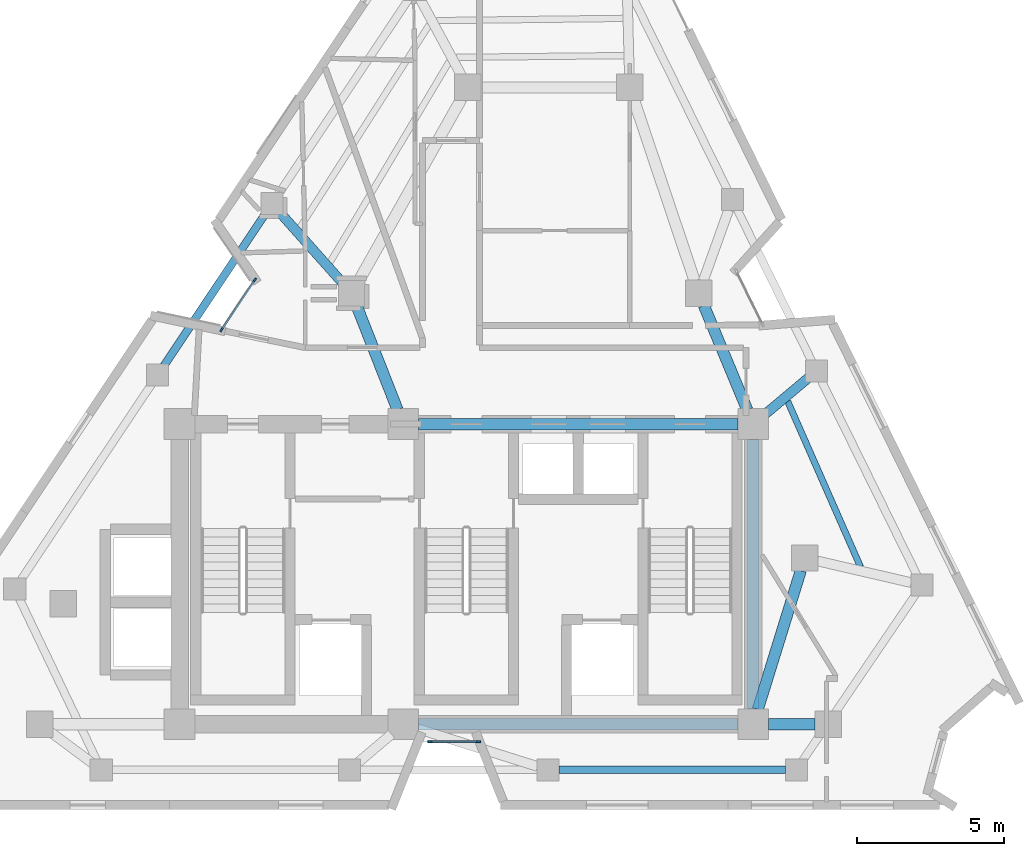
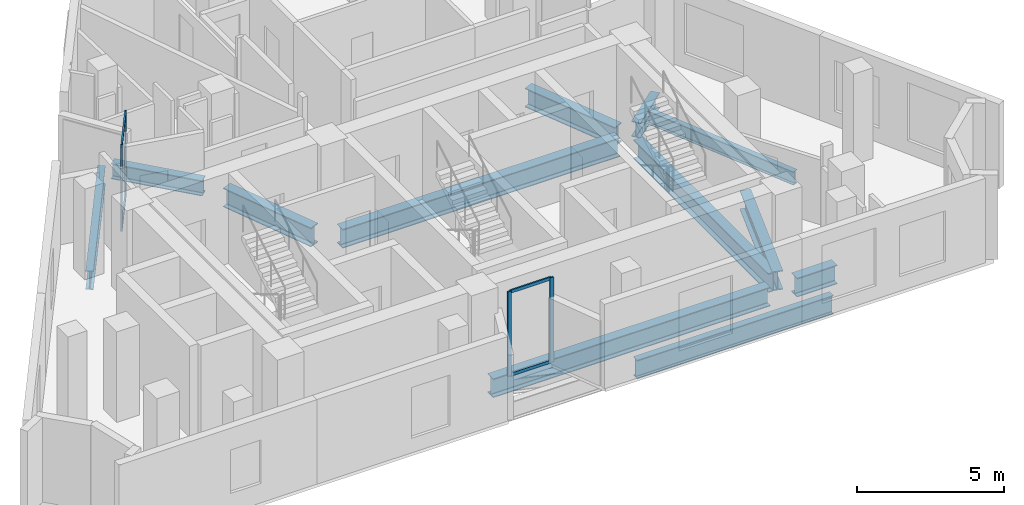
# One storey, part 2 of 10: 12 beams, 8 members, 2 elements without a shape of their own.
"""IFC4 building model written with IfcOpenShell, lengths in metres."""

from ifc_helpers import new_model, si_unit, direction, frame, origin, origin_2d, place, context, subcontext, project, spatial, rectangle, i_section, extrude, material, layer, layer_set, material_profile, profile_set, type_object, element, aggregate, save


model = new_model("IFC4")

# Units and contexts
model_context = context("Model", 3, precision=1e-05, world=origin(), true_north=direction((0.0, 1.0)))
body_context = subcontext(model_context, "Body", "Model", "MODEL_VIEW")
ifc_project = project(units=[si_unit("LENGTHUNIT", "METRE"), si_unit("AREAUNIT", "SQUARE_METRE"), si_unit("VOLUMEUNIT", "CUBIC_METRE"), si_unit("PLANEANGLEUNIT", "RADIAN"), si_unit("MASSUNIT", "GRAM", prefix="KILO")], contexts=[model_context])

# Site, building, storey
site_placement = place(None, origin())
site = spatial("IfcSite", under=ifc_project, at=site_placement, CompositionType="ELEMENT")
building_placement = place(site_placement, origin())
building = spatial("IfcBuilding", under=site, at=building_placement, Name="Almagre Mirador Tower", CompositionType="ELEMENT")
storey_placement = place(building_placement, frame((0.0, 0.0, 278.25)))
storey = spatial("IfcBuildingStorey", under=building, at=storey_placement, Name="L72", CompositionType="ELEMENT", Elevation=278.25)

# Beams
ifc_material_1 = material(Name="Steel ASTM A992 Grade 50", Category="steel")
ifc_material_profile_1 = material_profile(ifc_material_1, i_section(OverallWidth=0.214111328125, OverallDepth=0.549072265625, WebThickness=0.0146484375, FlangeThickness=0.023681640625, FilletRadius=0.01806640625, at=origin_2d()), Name="W21X93")
ifc_profile_set_1 = profile_set([ifc_material_profile_1], Name="Steel ASTM A992 Grade 50")
beam_type_1 = type_object("IfcBeamType", Name="BM-JST-W21X93", PredefinedType="JOIST", material=ifc_profile_set_1)
beam_1_placement = place(storey_placement, frame((50.698974609375, 9.896240234375, -0.5244140625), z_axis=(-0.402662796077, 0.915348388678, 0.0), x_axis=(-0.915348388678, -0.402662796077, 0.0)))
element("IfcBeam", 1, at=beam_1_placement, inside=storey, type_object=beam_type_1, Name="L72 secondary floor joist PC05-PC06.2", PredefinedType="JOIST", context=body_context, shape_type="SweptSolid", body=[
    extrude(i_section(OverallWidth=0.214111328125, OverallDepth=0.549072265625, WebThickness=0.0146484375, FlangeThickness=0.023681640625, FilletRadius=0.01806640625, at=origin_2d()), origin(), (0.0, 0.0, 1.0), 6.151123046875),
])
ifc_material_2 = material(Name="Steel ASTM A992 Grade 50", Category="steel")
ifc_material_profile_2 = material_profile(ifc_material_2, i_section(OverallWidth=0.26708984375, OverallDepth=0.779052734375, WebThickness=0.0166015625, FlangeThickness=0.030029296875, FilletRadius=0.02392578125, at=origin_2d()), Name="W30X148")
ifc_profile_set_2 = profile_set([ifc_material_profile_2], Name="Steel ASTM A992 Grade 50")
beam_type_2 = type_object("IfcBeamType", Name="BM-SPN-W30X148", PredefinedType="SPANDREL", material=ifc_profile_set_2)
beam_2_placement = place(storey_placement, frame((40.450927734375, 3.0, -0.639404296875), z_axis=(1.0, 0.0, 0.0), x_axis=(0.0, 1.0, 0.0)))
element("IfcBeam", 2, at=beam_2_placement, inside=storey, type_object=beam_type_2, Name="L72 perimeter spandrel beam PC03-PC04", PredefinedType="SPANDREL", context=body_context, shape_type="SweptSolid", body=[
    extrude(i_section(OverallWidth=0.26708984375, OverallDepth=0.779052734375, WebThickness=0.0166015625, FlangeThickness=0.030029296875, FilletRadius=0.02392578125, at=origin_2d()), origin(), (0.0, 0.0, 1.0), 7.690185546875),
])
beam_3_placement = place(storey_placement, frame((30.48388671875, 21.93408203125, -0.639404296875), z_axis=(-0.555240722479, -0.831689689789, 0.0), x_axis=(0.831689689789, -0.555240722479, 0.0)))
element("IfcBeam", 3, at=beam_3_placement, inside=storey, type_object=beam_type_2, Name="L72 perimeter spandrel beam PC10-PC11", PredefinedType="SPANDREL", context=body_context, shape_type="SweptSolid", body=[
    extrude(i_section(OverallWidth=0.26708984375, OverallDepth=0.779052734375, WebThickness=0.0166015625, FlangeThickness=0.030029296875, FilletRadius=0.02392578125, at=origin_2d()), origin(), (0.0, 0.0, 1.0), 6.252685546875),
])
ifc_material_3 = material(Name="Steel ASTM A992 Grade 50", Category="steel")
ifc_material_profile_3 = material_profile(ifc_material_3, i_section(OverallWidth=0.330078125, OverallDepth=0.635009765625, WebThickness=0.017822265625, FlangeThickness=0.031005859375, FilletRadius=0.02001953125, at=origin_2d()), Name="W24X162")
ifc_profile_set_3 = profile_set([ifc_material_profile_3], Name="Steel ASTM A992 Grade 50")
beam_type_3 = type_object("IfcBeamType", Name="BM-STL-W24X162", PredefinedType="BEAM", material=ifc_profile_set_3)
beam_4_placement = place(storey_placement, frame((48.917724609375, 16.31689453125, -0.5673828125), z_axis=(-0.766114512284, -0.642704095263, 0.0), x_axis=(0.642704095263, -0.766114512284, 0.0)))
element("IfcBeam", 4, at=beam_4_placement, inside=storey, type_object=beam_type_3, Name="L72 radial floor girder PC06-CC6", PredefinedType="BEAM", context=body_context, shape_type="SweptSolid", body=[
    extrude(i_section(OverallWidth=0.330078125, OverallDepth=0.635009765625, WebThickness=0.017822265625, FlangeThickness=0.031005859375, FilletRadius=0.02001953125, at=origin_2d()), origin(), (0.0, 0.0, 1.0), 1.9130859375),
])
beam_5_placement = place(storey_placement, frame((30.941162109375, 21.9658203125, -0.5673828125), z_axis=(0.664433759144, -0.747347161438, 0.0), x_axis=(0.747347161438, 0.664433759144, 0.0)))
element("IfcBeam", 5, at=beam_5_placement, inside=storey, type_object=beam_type_3, Name="L72 radial floor girder PC10-MC8", PredefinedType="BEAM", context=body_context, shape_type="SweptSolid", body=[
    extrude(i_section(OverallWidth=0.330078125, OverallDepth=0.635009765625, WebThickness=0.017822265625, FlangeThickness=0.031005859375, FilletRadius=0.02001953125, at=origin_2d()), origin(), (0.0, 0.0, 1.0), 3.250732421875),
])
ifc_material_4 = material(Name="Steel ASTM A992 Grade 50", Category="steel")
ifc_material_profile_4 = material_profile(ifc_material_4, i_section(OverallWidth=0.384033203125, OverallDepth=0.784912109375, WebThickness=0.019775390625, FlangeThickness=0.033447265625, FilletRadius=0.02392578125, at=origin_2d()), Name="W30X211")
ifc_profile_set_4 = profile_set([ifc_material_profile_4], Name="Steel ASTM A992 Grade 50")
beam_type_4 = type_object("IfcBeamType", Name="BM-STL-W30X211", PredefinedType="BEAM", material=ifc_profile_set_4)
for number, where, z_axis, x_axis, name in (
    (6, (35.675048828125, 4.550048828125, -0.642578125), (1.0, 0.0, 0.0), (0.0, 1.0, 0.0), "L72 core tie girder CC2-CC3"),
    (7, (35.675048828125, 14.75, -0.642578125), (1.0, 0.0, 0.0), (0.0, 1.0, 0.0), "L72 core tie girder CC5-CC6"),
):
    element("IfcBeam", number, at=place(storey_placement, frame(where, z_axis=z_axis, x_axis=x_axis)), inside=storey, type_object=beam_type_4, Name=name, PredefinedType="BEAM", context=body_context, shape_type="SweptSolid", body=[
        extrude(i_section(OverallWidth=0.384033203125, OverallDepth=0.784912109375, WebThickness=0.019775390625, FlangeThickness=0.033447265625, FilletRadius=0.02392578125, at=origin_2d()), origin(), (0.0, 0.0, 1.0), 10.849853515625),
    ])
beam_6_placement = place(storey_placement, frame((47.050048828125, 5.074951171875, -0.642578125), z_axis=(0.0, 1.0, 0.0), x_axis=(-1.0, 0.0, 0.0)))
element("IfcBeam", 8, at=beam_6_placement, inside=storey, type_object=beam_type_4, Name="L72 core tie girder CC3-CC6", PredefinedType="BEAM", context=body_context, shape_type="SweptSolid", body=[
    extrude(i_section(OverallWidth=0.384033203125, OverallDepth=0.784912109375, WebThickness=0.019775390625, FlangeThickness=0.033447265625, FilletRadius=0.02392578125, at=origin_2d()), origin(), (0.0, 0.0, 1.0), 9.150146484375),
])
beam_7_placement = place(storey_placement, frame((49.14990234375, 4.550048828125, -0.642578125), z_axis=(-1.0, 0.0, 0.0), x_axis=(0.0, -1.0, 0.0)))
element("IfcBeam", 9, at=beam_7_placement, inside=storey, type_object=beam_type_4, Name="L72 core tie girder MC2-CC3", PredefinedType="BEAM", context=body_context, shape_type="SweptSolid", body=[
    extrude(i_section(OverallWidth=0.384033203125, OverallDepth=0.784912109375, WebThickness=0.019775390625, FlangeThickness=0.033447265625, FilletRadius=0.02392578125, at=origin_2d()), origin(), (0.0, 0.0, 1.0), 1.574951171875),
])
beam_8_placement = place(storey_placement, frame((48.6669921875, 9.77001953125, -0.642578125), z_axis=(-0.295901717967, -0.955218390372, 0.0), x_axis=(0.955218390372, -0.295901717967, 0.0)))
element("IfcBeam", 10, at=beam_8_placement, inside=storey, type_object=beam_type_4, Name="L72 core tie girder MC3-CC3", PredefinedType="BEAM", context=body_context, shape_type="SweptSolid", body=[
    extrude(i_section(OverallWidth=0.384033203125, OverallDepth=0.784912109375, WebThickness=0.019775390625, FlangeThickness=0.033447265625, FilletRadius=0.02392578125, at=origin_2d()), origin(), (0.0, 0.0, 1.0), 4.939697265625),
])
beam_9_placement = place(storey_placement, frame((45.372802734375, 18.784423828125, -0.642578125), z_axis=(0.383862140668, -0.923390414159, 0.0), x_axis=(0.923390414159, 0.383862140668, 0.0)))
element("IfcBeam", 11, at=beam_9_placement, inside=storey, type_object=beam_type_4, Name="L72 core tie girder MC5-CC6", PredefinedType="BEAM", context=body_context, shape_type="SweptSolid", body=[
    extrude(i_section(OverallWidth=0.384033203125, OverallDepth=0.784912109375, WebThickness=0.019775390625, FlangeThickness=0.033447265625, FilletRadius=0.02392578125, at=origin_2d()), origin(), (0.0, 0.0, 1.0), 3.843994140625),
])
beam_10_placement = place(storey_placement, frame((33.564697265625, 18.78125, -0.642578125), z_axis=(0.365999579355, -0.93061501595, 0.0), x_axis=(0.93061501595, 0.365999579355, 0.0)))
element("IfcBeam", 12, at=beam_10_placement, inside=storey, type_object=beam_type_4, Name="L72 core tie girder MC8-CC5", PredefinedType="BEAM", context=body_context, shape_type="SweptSolid", body=[
    extrude(i_section(OverallWidth=0.384033203125, OverallDepth=0.784912109375, WebThickness=0.019775390625, FlangeThickness=0.033447265625, FilletRadius=0.02392578125, at=origin_2d()), origin(), (0.0, 0.0, 1.0), 3.806884765625),
])

# Curtain wall, members
ifc_material_5 = material(Name="Black anodized aluminium", Category="aluminium")
ifc_layer = layer(ifc_material_5, 0.169921875)
ifc_layer_set = layer_set([ifc_layer], Name="Black anodized aluminium")
curtain_wall_type = type_object("IfcCurtainWallType", Name="CW-CRS-SYS", PredefinedType="NOTDEFINED", material=ifc_layer_set)
curtain_wall_1_placement = place(storey_placement, origin())
curtain_wall_1 = element("IfcCurtainWall", 13, at=curtain_wall_1_placement, inside=storey, type_object=curtain_wall_type, Name="L72 vertical crease curtain wall 01", PredefinedType="NOTDEFINED")
ifc_material_6 = material(Name="Black anodized aluminium", Category="aluminium")
ifc_material_profile_5 = material_profile(ifc_material_6, rectangle(XDim=0.06005859375, YDim=0.14990234375, at=origin_2d()), Name="CWM60X150")
ifc_profile_set_5 = profile_set([ifc_material_profile_5], Name="Black anodized aluminium")
member_type_1 = type_object("IfcMemberType", Name="MBR-CWM60X150", PredefinedType="MULLION", material=ifc_profile_set_5)
member_1_placement = place(storey_placement, frame((28.974609375, 17.9619140625, 0.0), z_axis=(0.0, 0.0, 1.0), x_axis=(-0.831755672093, 0.555141875507, 0.0)))
member_1 = element("IfcMember", 14, at=member_1_placement, type_object=member_type_1, Name="CW-4 mullion 1", PredefinedType="MULLION", context=body_context, shape_type="SweptSolid", body=[
    extrude(rectangle(XDim=0.06005859375, YDim=0.14990234375, at=origin_2d()), origin(), (0.0, 0.0, 1.0), 3.5),
])
member_2_placement = place(storey_placement, frame((30.101318359375, 19.650146484375, 0.0), z_axis=(0.0, 0.0, 1.0), x_axis=(-0.831755672093, 0.555141875507, 0.0)))
member_2 = element("IfcMember", 15, at=member_2_placement, type_object=member_type_1, Name="CW-4 mullion 2", PredefinedType="MULLION", context=body_context, shape_type="SweptSolid", body=[
    extrude(rectangle(XDim=0.06005859375, YDim=0.14990234375, at=origin_2d()), origin(), (0.0, 0.0, 1.0), 3.5),
])

curtain_wall_2_placement = place(storey_placement, origin())
curtain_wall_2 = element("IfcCurtainWall", 16, at=curtain_wall_2_placement, inside=storey, type_object=curtain_wall_type, Name="L72 vertical crease curtain wall 04", PredefinedType="NOTDEFINED")
member_3_placement = place(storey_placement, frame((37.715087890625, 3.949951171875, 0.0), z_axis=(0.0, 0.0, 1.0), x_axis=(0.0, -1.0, 0.0)))
member_3 = element("IfcMember", 17, at=member_3_placement, type_object=member_type_1, Name="CW-4 mullion 1", PredefinedType="MULLION", context=body_context, shape_type="SweptSolid", body=[
    extrude(rectangle(XDim=0.06005859375, YDim=0.14990234375, at=origin_2d()), origin(), (0.0, 0.0, 1.0), 3.5),
])
member_4_placement = place(storey_placement, frame((36.06494140625, 3.949951171875, 0.0), z_axis=(0.0, 0.0, 1.0), x_axis=(0.0, -1.0, 0.0)))
member_4 = element("IfcMember", 18, at=member_4_placement, type_object=member_type_1, Name="CW-4 mullion 2", PredefinedType="MULLION", context=body_context, shape_type="SweptSolid", body=[
    extrude(rectangle(XDim=0.06005859375, YDim=0.14990234375, at=origin_2d()), origin(), (0.0, 0.0, 1.0), 3.5),
])

# Member
ifc_material_7 = material(Name="Black anodized aluminium", Category="aluminium")
ifc_material_profile_6 = material_profile(ifc_material_7, rectangle(XDim=0.06005859375, YDim=0.1298828125, at=origin_2d()), Name="CWT60X130")
ifc_profile_set_6 = profile_set([ifc_material_profile_6], Name="Black anodized aluminium")
member_type_2 = type_object("IfcMemberType", Name="MBR-CWT60X130", PredefinedType="USERDEFINED", material=ifc_profile_set_6)
member_5_placement = place(storey_placement, frame((28.9912109375, 17.98681640625, 0.030029296875), z_axis=(0.555186379428, 0.831725966949, 0.0), x_axis=(-0.831725966949, 0.555186379428, 0.0)))
member_5 = element("IfcMember", 19, at=member_5_placement, type_object=member_type_2, Name="CW-4 transom 1.1", ObjectType="TRANSOM", PredefinedType="USERDEFINED", context=body_context, shape_type="SweptSolid", body=[
    extrude(rectangle(XDim=0.06005859375, YDim=0.1298828125, at=origin_2d()), origin(), (0.0, 0.0, 1.0), 1.9697265625),
])

member_6_placement = place(storey_placement, frame((28.9912109375, 17.98681640625, 3.469970703125), z_axis=(0.555186379428, 0.831725966949, 0.0), x_axis=(-0.831725966949, 0.555186379428, 0.0)))
member_6 = element("IfcMember", 20, at=member_6_placement, type_object=member_type_2, Name="CW-4 transom 1.2", ObjectType="TRANSOM", PredefinedType="USERDEFINED", context=body_context, shape_type="SweptSolid", body=[
    extrude(rectangle(XDim=0.06005859375, YDim=0.1298828125, at=origin_2d()), origin(), (0.0, 0.0, 1.0), 1.9697265625),
])

aggregate(curtain_wall_1, [member_1, member_2, member_5, member_6])

member_7_placement = place(storey_placement, frame((37.68505859375, 3.949951171875, 0.030029296875), z_axis=(-1.0, 0.0, 0.0), x_axis=(0.0, -1.0, 0.0)))
member_7 = element("IfcMember", 21, at=member_7_placement, type_object=member_type_2, Name="CW-4 transom 1.1", ObjectType="TRANSOM", PredefinedType="USERDEFINED", context=body_context, shape_type="SweptSolid", body=[
    extrude(rectangle(XDim=0.06005859375, YDim=0.1298828125, at=origin_2d()), origin(), (0.0, 0.0, 1.0), 1.590087890625),
])

member_8_placement = place(storey_placement, frame((37.68505859375, 3.949951171875, 3.469970703125), z_axis=(-1.0, 0.0, 0.0), x_axis=(0.0, -1.0, 0.0)))
member_8 = element("IfcMember", 22, at=member_8_placement, type_object=member_type_2, Name="CW-4 transom 1.2", ObjectType="TRANSOM", PredefinedType="USERDEFINED", context=body_context, shape_type="SweptSolid", body=[
    extrude(rectangle(XDim=0.06005859375, YDim=0.1298828125, at=origin_2d()), origin(), (0.0, 0.0, 1.0), 1.590087890625),
])

aggregate(curtain_wall_2, [member_3, member_4, member_7, member_8])

save(model, "model.ifc")
